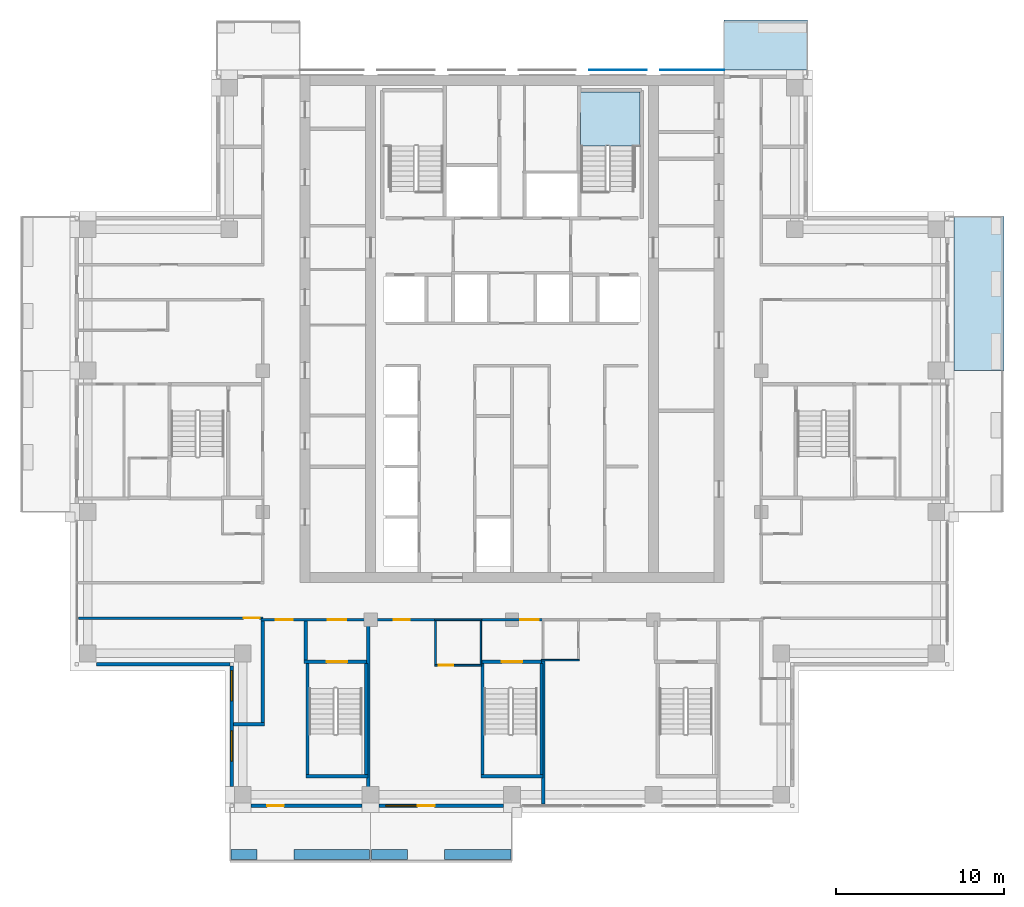
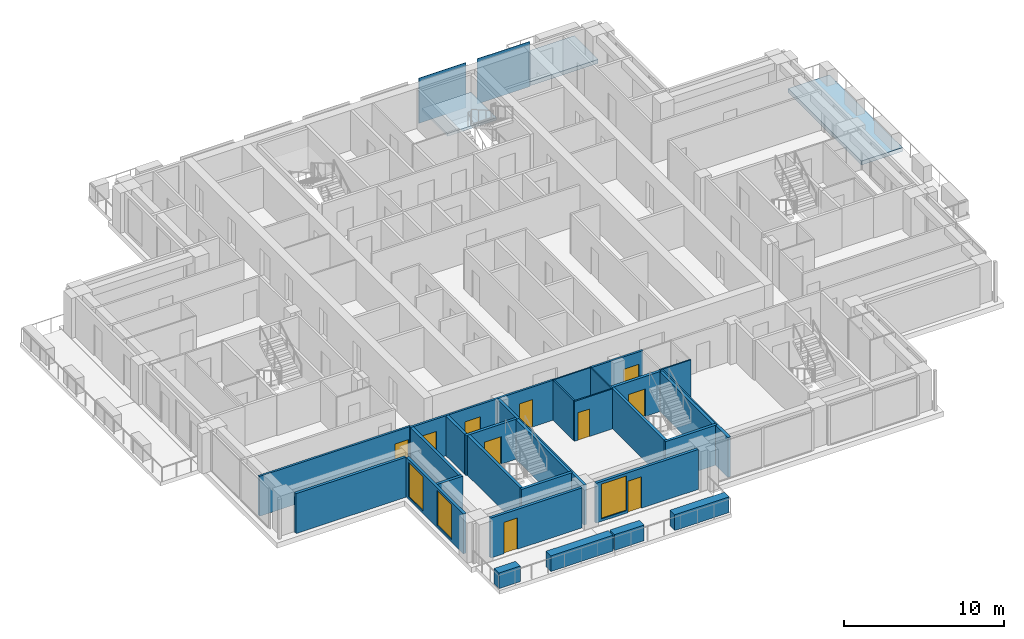
# One storey, part 6 of 17: 29 walls, 10 doors, 3 slabs, 3 windows, 2 plates, 13 openings, 1 element without a shape of its own.
"""IFC4 building model written with IfcOpenShell, lengths in metres."""

from ifc_helpers import new_model, si_unit, direction, frame, frame_2d, origin, origin_2d, place, context, subcontext, project, spatial, polyline, rectangle, outline, extrude, material, layer, layer_set, type_object, element, fill, aggregate, save


model = new_model("IFC4")

# Units and contexts
model_context = context("Model", 3, precision=1e-05, world=origin(), true_north=direction((0.0, 1.0)))
body_context = subcontext(model_context, "Body", "Model", "MODEL_VIEW")
ifc_project = project(units=[si_unit("LENGTHUNIT", "METRE"), si_unit("AREAUNIT", "SQUARE_METRE"), si_unit("VOLUMEUNIT", "CUBIC_METRE"), si_unit("PLANEANGLEUNIT", "RADIAN"), si_unit("MASSUNIT", "GRAM", prefix="KILO")], contexts=[model_context])

# Site, building, storey
site_placement = place(None, origin())
site = spatial("IfcSite", under=ifc_project, at=site_placement, CompositionType="ELEMENT")
building_placement = place(site_placement, origin())
building = spatial("IfcBuilding", under=site, at=building_placement, Name="Vermilion Ogive Tower", CompositionType="ELEMENT")
storey_placement = place(building_placement, frame((0.0, 0.0, 196.25)))
storey = spatial("IfcBuildingStorey", under=building, at=storey_placement, Name="L51", CompositionType="ELEMENT", Elevation=196.25)

# Slabs
ifc_material_1 = material(Name="Concrete B40", Category="concrete")
ifc_layer_1 = layer(ifc_material_1, 0.300048828125)
ifc_layer_set_1 = layer_set([ifc_layer_1], Name="Balcony slab")
slab_type_1 = type_object("IfcSlabType", Name="Balcony slab", PredefinedType="FLOOR", material=ifc_layer_set_1)
slab_1_placement = place(storey_placement, frame((0.0, 0.0, -0.340087890625)))
element("IfcSlab", 1, at=slab_1_placement, inside=storey, type_object=slab_type_1, Name="Balcony slab E03", PredefinedType="FLOOR", context=body_context, shape_type="SweptSolid", body=[
    extrude(outline(polyline([(29.22998046875, 4.199951171875), (29.22998046875, 13.35009765625), (26.25, 13.35009765625), (26.25, 4.199951171875), (29.22998046875, 4.199951171875)])), origin(), (0.0, 0.0, 1.0), 0.300048828125),
])
slab_2_placement = place(storey_placement, frame((0.0, 0.0, -0.340087890625)))
element("IfcSlab", 2, at=slab_2_placement, inside=storey, type_object=slab_type_1, Name="Balcony slab N101", PredefinedType="FLOOR", context=body_context, shape_type="SweptSolid", body=[
    extrude(outline(polyline([(17.550048828125, 25.030029296875), (12.60009765625, 25.030029296875), (12.60009765625, 22.050048828125), (17.550048828125, 22.050048828125), (17.550048828125, 25.030029296875)])), origin(), (0.0, 0.0, 1.0), 0.300048828125),
])

# Plates
ifc_material_2 = material(Name="Low-iron laminated glazing in aluminium frame", Category="aluminium")
ifc_layer_2 = layer(ifc_material_2, 0.031982421875)
ifc_layer_set_2 = layer_set([ifc_layer_2], Name="Glazed rainscreen sheet 32")
plate_type = type_object("IfcPlateType", Name="Glazed rainscreen sheet 32", PredefinedType="SHEET", material=ifc_layer_set_2)
plate_1_placement = place(storey_placement, frame((6.300048828125, 22.06591796875, -0.39990234375), z_axis=(0.0, 0.0, 1.0), x_axis=(1.0, 0.0, 0.0)))
element("IfcPlate", 3, at=plate_1_placement, inside=storey, type_object=plate_type, Name="Glazed rainscreen sheet N5", PredefinedType="SHEET", context=body_context, shape_type="SweptSolid", body=[
    extrude(rectangle(XDim=3.39990234375, YDim=0.031982421875, at=origin_2d()), origin(), (0.0, 0.0, 1.0), 3.449951171875),
])
plate_2_placement = place(storey_placement, frame((10.7099609375, 22.06591796875, -0.39990234375), z_axis=(0.0, 0.0, 1.0), x_axis=(1.0, 0.0, 0.0)))
element("IfcPlate", 4, at=plate_2_placement, inside=storey, type_object=plate_type, Name="Glazed rainscreen sheet N6", PredefinedType="SHEET", context=body_context, shape_type="SweptSolid", body=[
    extrude(rectangle(XDim=3.820068359375, YDim=0.031982421875, at=origin_2d()), origin(), (0.0, 0.0, 1.0), 3.449951171875),
])

# Stair, slab
ifc_material_3 = material(Name="Concrete B40", Category="concrete")
stair_type = type_object("IfcStairType", Name="Exit stair 1500", PredefinedType="HALF_TURN_STAIR", material=ifc_material_3)
stair_placement = place(storey_placement, origin())
stair = element("IfcStair", 5, at=stair_placement, inside=storey, type_object=stair_type, Name="L51 Exit Stair ST2", PredefinedType="HALF_TURN_STAIR")
ifc_material_4 = material(Name="Concrete B40", Category="concrete")
ifc_layer_3 = layer(ifc_material_4, 0.199951171875)
ifc_layer_set_3 = layer_set([ifc_layer_3], Name="Stair landing 200")
slab_type_2 = type_object("IfcSlabType", Name="Stair landing 200", PredefinedType="LANDING", material=ifc_layer_set_3)
slab_3_placement = place(storey_placement, frame((0.0, 0.0, 1.52490234375)))
slab_3 = element("IfcSlab", 6, at=slab_3_placement, type_object=slab_type_2, Name="ST2 landing 1", PredefinedType="LANDING", context=body_context, shape_type="SweptSolid", body=[
    extrude(outline(polyline([(5.60009765625, 17.550048828125), (5.75, 17.550048828125), (5.75, 17.548095703125), (7.25, 17.548095703125), (7.25, 17.550048828125), (7.60009765625, 17.550048828125), (7.60009765625, 20.75), (4.074951171875, 20.75), (4.074951171875, 17.550048828125), (4.10009765625, 17.550048828125), (4.10009765625, 17.548095703125), (5.60009765625, 17.548095703125), (5.60009765625, 17.550048828125)])), origin(), (0.0, 0.0, 1.0), 0.2001953125),
])
aggregate(stair, [slab_3])

# Wall, opening, door
ifc_material_5 = material(Name="Gypsum board partition on steel studs", Category="steel")
ifc_layer_4 = layer(ifc_material_5, 0.10009765625)
ifc_layer_set_4 = layer_set([ifc_layer_4], Name="Partition 100 bath")
wall_type_1 = type_object("IfcWallType", Name="Partition 100 bath", PredefinedType="PARTITIONING", material=ifc_layer_set_4)
wall_1_placement = place(storey_placement, frame((-4.597900390625, -13.300048828125, 0.0), z_axis=(0.0, 0.0, 1.0), x_axis=(1.0, 0.0, 0.0)))
wall_1 = element("IfcWall", 7, at=wall_1_placement, inside=storey, type_object=wall_type_1, Name="L51-W-W007", PredefinedType="PARTITIONING", context=body_context, shape_type="SweptSolid", body=[
    extrude(rectangle(XDim=2.7958984375, YDim=0.10009765625, at=frame_2d((1.39794921875, 0.0))), origin(), (0.0, 0.0, 1.0), 3.050048828125),
])
opening_1_placement = place(wall_1_placement, frame((0.247802734375, 0.0, 0.0)))
opening_1 = element("IfcOpeningElement", 8, at=opening_1_placement, cuts=wall_1, Name="Opening D4G3012", PredefinedType="OPENING", context=body_context, shape_type="SweptSolid", body=[
    extrude(rectangle(XDim=0.85009765625, YDim=2.10009765625, at=frame_2d((0.425048828125, 1.050048828125))), frame((0.0, 0.06005859375, 0.0), z_axis=(0.0, -1.0, 0.0), x_axis=(1.0, 0.0, 0.0)), (0.0, 0.0, 1.0), 0.1201171875),
])
ifc_material_6 = material(Name="Timber door leaf", Category="wood")
door_type_1 = type_object("IfcDoorType", Name="Bath door 850 x 2100 FD30", OperationType="SINGLE_SWING_LEFT", PredefinedType="DOOR", material=ifc_material_6)
door_1_placement = place(opening_1_placement, origin())
door_1 = element("IfcDoor", 9, at=door_1_placement, inside=storey, type_object=door_type_1, Name="L51-D-D012", OperationType="SINGLE_SWING_LEFT", OverallHeight=2.10009765625, OverallWidth=0.85009765625, PredefinedType="DOOR", context=body_context, shape_type="SweptSolid", body=[
    extrude(rectangle(XDim=0.85009765625, YDim=2.10009765625, at=frame_2d((0.425048828125, 1.050048828125))), frame((0.0, 0.02490234375, 0.0), z_axis=(0.0, -1.0, 0.0), x_axis=(1.0, 0.0, 0.0)), (0.0, 0.0, 1.0), 0.050048828125),
])
fill(opening_1, door_1)

# Walls
wall_2_placement = place(storey_placement, frame((1.75, -13.0, 0.0), z_axis=(0.0, 0.0, 1.0), x_axis=(1.0, 0.0, 0.0)))
element("IfcWall", 10, at=wall_2_placement, inside=storey, type_object=wall_type_1, Name="L51-W-W011", PredefinedType="PARTITIONING", context=body_context, shape_type="SweptSolid", body=[
    extrude(rectangle(XDim=2.25, YDim=0.10009765625, at=frame_2d((1.125, 0.0))), origin(), (0.0, 0.0, 1.0), 3.050048828125),
])
wall_3_placement = place(storey_placement, frame((-4.60009765625, -10.60009765625, 0.0), z_axis=(0.0, 0.0, 1.0), x_axis=(1.0, 0.0, 0.0)))
element("IfcWall", 11, at=wall_3_placement, inside=storey, type_object=wall_type_1, Name="L51-W-W013", PredefinedType="PARTITIONING", context=body_context, shape_type="SweptSolid", body=[
    extrude(rectangle(XDim=2.800048828125, YDim=0.10009765625, at=frame_2d((1.39990234375, 0.0))), origin(), (0.0, 0.0, 1.0), 3.050048828125),
])
for number, where, z_axis, x_axis, name in (
    (12, (-4.550048828125, -13.248046875, 0.0), (0.0, 0.0, 1.0), (0.0, 1.0, 0.0), "L51-W-W062"),
    (13, (-1.85009765625, -13.248046875, 0.0), (0.0, 0.0, 1.0), (0.0, 1.0, 0.0), "L51-W-W063"),
):
    element("IfcWall", number, at=place(storey_placement, frame(where, z_axis=z_axis, x_axis=x_axis)), inside=storey, type_object=wall_type_1, Name=name, PredefinedType="PARTITIONING", context=body_context, shape_type="SweptSolid", body=[
        extrude(rectangle(XDim=2.572998046875, YDim=0.10009765625, at=frame_2d((1.28662109375, 0.0))), origin(), (0.0, 0.0, 1.0), 3.050048828125),
    ])

# Wall, openings, doors
ifc_material_7 = material(Name="Gypsum board partition on steel studs", Category="steel")
ifc_layer_5 = layer(ifc_material_7, 0.14990234375)
ifc_layer_set_5 = layer_set([ifc_layer_5], Name="Partition 150 corridor")
wall_type_2 = type_object("IfcWallType", Name="Partition 150 corridor", PredefinedType="PARTITIONING", material=ifc_layer_set_5)
wall_4_placement = place(storey_placement, frame((-14.89990234375, -10.60009765625, 0.0), z_axis=(0.0, 0.0, 1.0), x_axis=(1.0, 0.0, 0.0)))
wall_4 = element("IfcWall", 14, at=wall_4_placement, inside=storey, type_object=wall_type_2, Name="L51-W-W012", PredefinedType="PARTITIONING", context=body_context, shape_type="SweptSolid", body=[
    extrude(rectangle(XDim=10.39990234375, YDim=0.14990234375, at=frame_2d((5.199951171875, 0.0))), origin(), (0.0, 0.0, 1.0), 3.050048828125),
])
opening_2_placement = place(wall_4_placement, frame((7.875, 0.0, 0.0)))
opening_2 = element("IfcOpeningElement", 15, at=opening_2_placement, cuts=wall_4, Name="Opening D4G3011", PredefinedType="OPENING", context=body_context, shape_type="SweptSolid", body=[
    extrude(rectangle(XDim=0.949951171875, YDim=2.10009765625, at=frame_2d((0.47509765625, 1.050048828125))), frame((0.0, 0.0849609375, 0.0), z_axis=(0.0, -1.0, 0.0), x_axis=(1.0, 0.0, 0.0)), (0.0, 0.0, 1.0), 0.169921875),
])
opening_3_placement = place(wall_4_placement, frame((3.949951171875, 0.0, 0.0)))
opening_3 = element("IfcOpeningElement", 16, at=opening_3_placement, cuts=wall_4, Name="Opening D4G3025", PredefinedType="OPENING", context=body_context, shape_type="SweptSolid", body=[
    extrude(rectangle(XDim=1.10009765625, YDim=2.10009765625, at=frame_2d((0.550048828125, 1.050048828125))), frame((0.0, 0.0849609375, 0.0), z_axis=(0.0, -1.0, 0.0), x_axis=(1.0, 0.0, 0.0)), (0.0, 0.0, 1.0), 0.169921875),
])
opening_4_placement = place(wall_4_placement, frame((0.875, 0.0, 0.0)))
opening_4 = element("IfcOpeningElement", 17, at=opening_4_placement, cuts=wall_4, Name="Opening D4G3035", PredefinedType="OPENING", context=body_context, shape_type="SweptSolid", body=[
    extrude(rectangle(XDim=1.0, YDim=2.10009765625, at=frame_2d((0.5, 1.050048828125))), frame((0.0, 0.0849609375, 0.0), z_axis=(0.0, -1.0, 0.0), x_axis=(1.0, 0.0, 0.0)), (0.0, 0.0, 1.0), 0.169921875),
])
ifc_material_8 = material(Name="Timber door leaf", Category="wood")
door_type_2 = type_object("IfcDoorType", Name="Stair door 1100 x 2100 FD60S", OperationType="SINGLE_SWING_LEFT", PredefinedType="DOOR", material=ifc_material_8)
door_2_placement = place(opening_3_placement, origin())
door_2 = element("IfcDoor", 18, at=door_2_placement, inside=storey, type_object=door_type_2, Name="L51-D-D025", OperationType="SINGLE_SWING_RIGHT", OverallHeight=2.10009765625, OverallWidth=1.10009765625, PredefinedType="DOOR", context=body_context, shape_type="SweptSolid", body=[
    extrude(rectangle(XDim=1.10009765625, YDim=2.10009765625, at=frame_2d((0.550048828125, 1.050048828125))), frame((0.0, 0.02490234375, 0.0), z_axis=(0.0, -1.0, 0.0), x_axis=(1.0, 0.0, 0.0)), (0.0, 0.0, 1.0), 0.050048828125),
])
fill(opening_3, door_2)
ifc_material_9 = material(Name="Timber door leaf", Category="wood")
door_type_3 = type_object("IfcDoorType", Name="Unit door 1000 x 2100 FD30S", OperationType="SINGLE_SWING_LEFT", PredefinedType="DOOR", material=ifc_material_9)
door_3_placement = place(opening_4_placement, origin())
door_3 = element("IfcDoor", 19, at=door_3_placement, inside=storey, type_object=door_type_3, Name="L51-D-D035", OperationType="SINGLE_SWING_RIGHT", OverallHeight=2.10009765625, OverallWidth=1.0, PredefinedType="DOOR", context=body_context, shape_type="SweptSolid", body=[
    extrude(rectangle(XDim=1.0, YDim=2.10009765625, at=frame_2d((0.5, 1.050048828125))), frame((0.0, 0.02490234375, 0.0), z_axis=(0.0, -1.0, 0.0), x_axis=(1.0, 0.0, 0.0)), (0.0, 0.0, 1.0), 0.050048828125),
])
fill(opening_4, door_3)
ifc_material_10 = material(Name="Timber door leaf", Category="wood")
door_type_4 = type_object("IfcDoorType", Name="Unit door 950 x 2100 FD30S", OperationType="SINGLE_SWING_LEFT", PredefinedType="DOOR", material=ifc_material_10)
door_4_placement = place(opening_2_placement, origin())
door_4 = element("IfcDoor", 20, at=door_4_placement, inside=storey, type_object=door_type_4, Name="L51-D-D011", OperationType="SINGLE_SWING_LEFT", OverallHeight=2.10009765625, OverallWidth=0.949951171875, PredefinedType="DOOR", context=body_context, shape_type="SweptSolid", body=[
    extrude(rectangle(XDim=0.949951171875, YDim=2.10009765625, at=frame_2d((0.47509765625, 1.050048828125))), frame((0.0, 0.02490234375, 0.0), z_axis=(0.0, -1.0, 0.0), x_axis=(1.0, 0.0, 0.0)), (0.0, 0.0, 1.0), 0.050048828125),
])
fill(opening_2, door_4)

# Wall, opening, door
wall_5_placement = place(storey_placement, frame((-1.89990234375, -10.60009765625, 0.0), z_axis=(0.0, 0.0, 1.0), x_axis=(1.0, 0.0, 0.0)))
wall_5 = element("IfcWall", 21, at=wall_5_placement, inside=storey, type_object=wall_type_2, Name="L51-W-W014", PredefinedType="PARTITIONING", context=body_context, shape_type="SweptSolid", body=[
    extrude(rectangle(XDim=3.7998046875, YDim=0.14990234375, at=frame_2d((1.89990234375, 0.0))), origin(), (0.0, 0.0, 1.0), 3.050048828125),
])
opening_5_placement = place(wall_5_placement, frame((2.39990234375, 0.0, 0.0)))
opening_5 = element("IfcOpeningElement", 22, at=opening_5_placement, cuts=wall_5, Name="Opening D4G3027", PredefinedType="OPENING", context=body_context, shape_type="SweptSolid", body=[
    extrude(rectangle(XDim=1.10009765625, YDim=2.10009765625, at=frame_2d((0.550048828125, 1.050048828125))), frame((0.0, 0.0849609375, 0.0), z_axis=(0.0, -1.0, 0.0), x_axis=(1.0, 0.0, 0.0)), (0.0, 0.0, 1.0), 0.169921875),
])
door_5_placement = place(opening_5_placement, origin())
door_5 = element("IfcDoor", 23, at=door_5_placement, inside=storey, type_object=door_type_2, Name="L51-D-D027", OperationType="SINGLE_SWING_LEFT", OverallHeight=2.10009765625, OverallWidth=1.10009765625, PredefinedType="DOOR", context=body_context, shape_type="SweptSolid", body=[
    extrude(rectangle(XDim=1.10009765625, YDim=2.10009765625, at=frame_2d((0.550048828125, 1.050048828125))), frame((0.0, 0.02490234375, 0.0), z_axis=(0.0, -1.0, 0.0), x_axis=(1.0, 0.0, 0.0)), (0.0, 0.0, 1.0), 0.050048828125),
])
fill(opening_5, door_5)

wall_6_placement = place(storey_placement, frame((-25.75, -10.5, 0.0), z_axis=(0.0, 0.0, 1.0), x_axis=(1.0, 0.0, 0.0)))
wall_6 = element("IfcWall", 24, at=wall_6_placement, inside=storey, type_object=wall_type_2, Name="L51-W-W017", PredefinedType="PARTITIONING", context=body_context, shape_type="SweptSolid", body=[
    extrude(rectangle(XDim=10.949951171875, YDim=0.14990234375, at=frame_2d((5.47509765625, 0.0))), origin(), (0.0, 0.0, 1.0), 3.050048828125),
])
opening_6_placement = place(wall_6_placement, frame((9.800048828125, 0.0, 0.0)))
opening_6 = element("IfcOpeningElement", 25, at=opening_6_placement, cuts=wall_6, Name="Opening D4G3001", PredefinedType="OPENING", context=body_context, shape_type="SweptSolid", body=[
    extrude(rectangle(XDim=0.949951171875, YDim=2.10009765625, at=frame_2d((0.47509765625, 1.050048828125))), frame((0.0, 0.0849609375, 0.0), z_axis=(0.0, -1.0, 0.0), x_axis=(1.0, 0.0, 0.0)), (0.0, 0.0, 1.0), 0.169921875),
])
door_6_placement = place(opening_6_placement, origin())
door_6 = element("IfcDoor", 26, at=door_6_placement, inside=storey, type_object=door_type_4, Name="L51-D-D001", OperationType="SINGLE_SWING_RIGHT", OverallHeight=2.10009765625, OverallWidth=0.949951171875, PredefinedType="DOOR", context=body_context, shape_type="SweptSolid", body=[
    extrude(rectangle(XDim=0.949951171875, YDim=2.10009765625, at=frame_2d((0.47509765625, 1.050048828125))), frame((0.0, 0.02490234375, 0.0), z_axis=(0.0, -1.0, 0.0), x_axis=(1.0, 0.0, 0.0)), (0.0, 0.0, 1.0), 0.050048828125),
])
fill(opening_6, door_6)

# Walls
ifc_material_11 = material(Name="Gypsum board partition on steel studs", Category="steel")
ifc_layer_6 = layer(ifc_material_11, 0.199951171875)
ifc_layer_set_6 = layer_set([ifc_layer_6], Name="Partition 200 party")
wall_type_3 = type_object("IfcWallType", Name="Partition 200 party", PredefinedType="PARTITIONING", material=ifc_layer_set_6)
wall_7_placement = place(storey_placement, frame((-16.550048828125, -16.800048828125, 0.0), z_axis=(0.0, 0.0, 1.0), x_axis=(1.0, 0.0, 0.0)))
element("IfcWall", 27, at=wall_7_placement, inside=storey, type_object=wall_type_3, Name="L51-W-W004", PredefinedType="PARTITIONING", context=body_context, shape_type="SweptSolid", body=[
    extrude(rectangle(XDim=1.84814453125, YDim=0.199951171875, at=frame_2d((0.924072265625, 0.0))), origin(), (0.0, 0.0, 1.0), 3.050048828125),
])
wall_8_placement = place(storey_placement, frame((-14.800048828125, -16.697998046875, 0.0), z_axis=(0.0, 0.0, 1.0), x_axis=(0.0, 1.0, 0.0)))
element("IfcWall", 28, at=wall_8_placement, inside=storey, type_object=wall_type_3, Name="L51-W-W053", PredefinedType="PARTITIONING", context=body_context, shape_type="SweptSolid", body=[
    extrude(rectangle(XDim=6.02294921875, YDim=0.199951171875, at=frame_2d((3.011474609375, 0.0))), origin(), (0.0, 0.0, 1.0), 3.050048828125),
])
wall_9_placement = place(storey_placement, frame((-12.25, -12.998046875, 0.0), z_axis=(0.0, 0.0, 1.0), x_axis=(0.0, 1.0, 0.0)))
element("IfcWall", 29, at=wall_9_placement, inside=storey, type_object=wall_type_3, Name="L51-W-W058", PredefinedType="PARTITIONING", context=body_context, shape_type="SweptSolid", body=[
    extrude(rectangle(XDim=2.322998046875, YDim=0.199951171875, at=frame_2d((1.16162109375, 0.0))), origin(), (0.0, 0.0, 1.0), 3.050048828125),
])
ifc_material_12 = material(Name="Concrete B60", Category="concrete")
ifc_layer_7 = layer(ifc_material_12, 0.199951171875)
ifc_layer_set_7 = layer_set([ifc_layer_7], Name="Stair shaft wall 200 Concrete B60")
wall_type_4 = type_object("IfcWallType", Name="Stair shaft wall 200 Concrete B60", PredefinedType="SOLIDWALL", material=ifc_layer_set_7)
wall_10_placement = place(storey_placement, frame((-12.248046875, -19.89990234375, 0.0), z_axis=(0.0, 0.0, 1.0), x_axis=(1.0, 0.0, 0.0)))
element("IfcWall", 30, at=wall_10_placement, inside=storey, type_object=wall_type_4, Name="L51-W-W001", PredefinedType="SOLIDWALL", context=body_context, shape_type="SweptSolid", body=[
    extrude(rectangle(XDim=3.696044921875, YDim=0.199951171875, at=frame_2d((1.84814453125, 0.0))), origin(), (0.0, 0.0, 1.0), 3.050048828125),
])
wall_11_placement = place(storey_placement, frame((-1.847900390625, -19.89990234375, 0.0), z_axis=(0.0, 0.0, 1.0), x_axis=(1.0, 0.0, 0.0)))
element("IfcWall", 31, at=wall_11_placement, inside=storey, type_object=wall_type_4, Name="L51-W-W002", PredefinedType="SOLIDWALL", context=body_context, shape_type="SweptSolid", body=[
    extrude(rectangle(XDim=3.69580078125, YDim=0.199951171875, at=frame_2d((1.847900390625, 0.0))), origin(), (0.0, 0.0, 1.0), 3.050048828125),
])

# Wall, opening, door
wall_12_placement = place(storey_placement, frame((-12.347900390625, -13.10009765625, 0.0), z_axis=(0.0, 0.0, 1.0), x_axis=(1.0, 0.0, 0.0)))
wall_12 = element("IfcWall", 32, at=wall_12_placement, inside=storey, type_object=wall_type_4, Name="L51-W-W008", PredefinedType="SOLIDWALL", context=body_context, shape_type="SweptSolid", body=[
    extrude(rectangle(XDim=3.69580078125, YDim=0.199951171875, at=frame_2d((1.847900390625, 0.0))), origin(), (0.0, 0.0, 1.0), 3.050048828125),
])
opening_7_placement = place(wall_12_placement, frame((1.347900390625, 0.0, 0.0)))
opening_7 = element("IfcOpeningElement", 33, at=opening_7_placement, cuts=wall_12, Name="Opening D4G3026", PredefinedType="OPENING", context=body_context, shape_type="SweptSolid", body=[
    extrude(rectangle(XDim=1.199951171875, YDim=2.10009765625, at=frame_2d((0.60009765625, 1.050048828125))), frame((0.0, 0.10986328125, 0.0), z_axis=(0.0, -1.0, 0.0), x_axis=(1.0, 0.0, 0.0)), (0.0, 0.0, 1.0), 0.219970703125),
])
ifc_material_13 = material(Name="Timber door leaf", Category="wood")
door_type_5 = type_object("IfcDoorType", Name="Stair door 1200 x 2100 FD60S", OperationType="SINGLE_SWING_LEFT", PredefinedType="DOOR", material=ifc_material_13)
door_7_placement = place(opening_7_placement, origin())
door_7 = element("IfcDoor", 34, at=door_7_placement, inside=storey, type_object=door_type_5, Name="L51-D-D026", OperationType="SINGLE_SWING_RIGHT", OverallHeight=2.10009765625, OverallWidth=1.199951171875, PredefinedType="DOOR", context=body_context, shape_type="SweptSolid", body=[
    extrude(rectangle(XDim=1.199951171875, YDim=2.10009765625, at=frame_2d((0.60009765625, 1.050048828125))), frame((0.0, 0.02490234375, 0.0), z_axis=(0.0, -1.0, 0.0), x_axis=(1.0, 0.0, 0.0)), (0.0, 0.0, 1.0), 0.050048828125),
])
fill(opening_7, door_7)

wall_13_placement = place(storey_placement, frame((-1.798095703125, -13.10009765625, 0.0), z_axis=(0.0, 0.0, 1.0), x_axis=(1.0, 0.0, 0.0)))
wall_13 = element("IfcWall", 35, at=wall_13_placement, inside=storey, type_object=wall_type_4, Name="L51-W-W009", PredefinedType="SOLIDWALL", context=body_context, shape_type="SweptSolid", body=[
    extrude(rectangle(XDim=3.546142578125, YDim=0.199951171875, at=frame_2d((1.77294921875, 0.0))), origin(), (0.0, 0.0, 1.0), 3.050048828125),
])
opening_8_placement = place(wall_13_placement, frame((1.197998046875, 0.0, 0.0)))
opening_8 = element("IfcOpeningElement", 36, at=opening_8_placement, cuts=wall_13, Name="Opening D4G3028", PredefinedType="OPENING", context=body_context, shape_type="SweptSolid", body=[
    extrude(rectangle(XDim=1.199951171875, YDim=2.10009765625, at=frame_2d((0.60009765625, 1.050048828125))), frame((0.0, 0.10986328125, 0.0), z_axis=(0.0, -1.0, 0.0), x_axis=(1.0, 0.0, 0.0)), (0.0, 0.0, 1.0), 0.219970703125),
])
door_8_placement = place(opening_8_placement, origin())
door_8 = element("IfcDoor", 37, at=door_8_placement, inside=storey, type_object=door_type_5, Name="L51-D-D028", OperationType="SINGLE_SWING_RIGHT", OverallHeight=2.10009765625, OverallWidth=1.199951171875, PredefinedType="DOOR", context=body_context, shape_type="SweptSolid", body=[
    extrude(rectangle(XDim=1.199951171875, YDim=2.10009765625, at=frame_2d((0.60009765625, 1.050048828125))), frame((0.0, 0.02490234375, 0.0), z_axis=(0.0, -1.0, 0.0), x_axis=(1.0, 0.0, 0.0)), (0.0, 0.0, 1.0), 0.050048828125),
])
fill(opening_8, door_8)

# Walls
for number, where, z_axis, x_axis, name in (
    (38, (-12.14990234375, -19.798095703125, 0.0), (0.0, 0.0, 1.0), (0.0, 1.0, 0.0), "L51-W-W059"),
    (39, (-8.64990234375, -19.798095703125, 0.0), (0.0, 0.0, 1.0), (0.0, 1.0, 0.0), "L51-W-W060"),
    (40, (-1.75, -19.798095703125, 0.0), (0.0, 0.0, 1.0), (0.0, 1.0, 0.0), "L51-W-W064"),
    (41, (1.75, -19.798095703125, 0.0), (0.0, 0.0, 1.0), (0.0, 1.0, 0.0), "L51-W-W065"),
):
    element("IfcWall", number, at=place(storey_placement, frame(where, z_axis=z_axis, x_axis=x_axis)), inside=storey, type_object=wall_type_4, Name=name, PredefinedType="SOLIDWALL", context=body_context, shape_type="SweptSolid", body=[
        extrude(rectangle(XDim=6.59619140625, YDim=0.199951171875, at=frame_2d((3.298095703125, 0.0))), origin(), (0.0, 0.0, 1.0), 3.050048828125),
    ])
wall_14_placement = place(storey_placement, frame((-8.550048828125, -21.550048828125, 0.0), z_axis=(0.0, 0.0, 1.0), x_axis=(0.0, 1.0, 0.0)))
element("IfcWall", 42, at=wall_14_placement, inside=storey, type_object=wall_type_4, Name="L51-W-W061-A", PredefinedType="SOLIDWALL", context=body_context, shape_type="SweptSolid", body=[
    extrude(rectangle(XDim=10.875, YDim=0.199951171875, at=frame_2d((5.4375, 0.0))), origin(), (0.0, 0.0, 1.0), 3.050048828125),
])
wall_15_placement = place(storey_placement, frame((1.85009765625, -21.550048828125, 0.0), z_axis=(0.0, 0.0, 1.0), x_axis=(0.0, 1.0, 0.0)))
element("IfcWall", 43, at=wall_15_placement, inside=storey, type_object=wall_type_4, Name="L51-W-W066-A", PredefinedType="SOLIDWALL", context=body_context, shape_type="SweptSolid", body=[
    extrude(rectangle(XDim=8.5, YDim=0.199951171875, at=frame_2d((4.25, 0.0))), origin(), (0.0, 0.0, 1.0), 3.050048828125),
])
ifc_material_14 = material(Name="Concrete B40", Category="concrete")
ifc_layer_8 = layer(ifc_material_14, 0.60009765625)
ifc_layer_set_8 = layer_set([ifc_layer_8], Name="Structural planter")
wall_type_5 = type_object("IfcWallType", Name="Structural planter", PredefinedType="USERDEFINED", material=ifc_layer_set_8)
wall_16_placement = place(storey_placement, frame((-16.68994140625, -24.550048828125, -0.0400390625), z_axis=(0.0, 0.0, 1.0), x_axis=(1.0, 0.0, 0.0)))
element("IfcWall", 44, at=wall_16_placement, inside=storey, type_object=wall_type_5, Name="Planter S01A1", ObjectType="PLANTER", PredefinedType="USERDEFINED", context=body_context, shape_type="SweptSolid", body=[
    extrude(rectangle(XDim=1.5400390625, YDim=0.60009765625, at=frame_2d((0.77001953125, 0.0))), origin(), (0.0, 0.0, 1.0), 1.199951171875),
])
wall_17_placement = place(storey_placement, frame((-12.949951171875, -24.550048828125, -0.0400390625), z_axis=(0.0, 0.0, 1.0), x_axis=(1.0, 0.0, 0.0)))
element("IfcWall", 45, at=wall_17_placement, inside=storey, type_object=wall_type_5, Name="Planter S01A2", ObjectType="PLANTER", PredefinedType="USERDEFINED", context=body_context, shape_type="SweptSolid", body=[
    extrude(rectangle(XDim=4.489990234375, YDim=0.60009765625, at=frame_2d((2.2451171875, 0.0))), origin(), (0.0, 0.0, 1.0), 1.199951171875),
])
wall_18_placement = place(storey_placement, frame((-8.340087890625, -24.550048828125, -0.0400390625), z_axis=(0.0, 0.0, 1.0), x_axis=(1.0, 0.0, 0.0)))
element("IfcWall", 46, at=wall_18_placement, inside=storey, type_object=wall_type_5, Name="Planter S02A1", ObjectType="PLANTER", PredefinedType="USERDEFINED", context=body_context, shape_type="SweptSolid", body=[
    extrude(rectangle(XDim=2.14013671875, YDim=0.60009765625, at=frame_2d((1.070068359375, 0.0))), origin(), (0.0, 0.0, 1.0), 1.199951171875),
])
wall_19_placement = place(storey_placement, frame((-4.0, -24.550048828125, -0.0400390625), z_axis=(0.0, 0.0, 1.0), x_axis=(1.0, 0.0, 0.0)))
element("IfcWall", 47, at=wall_19_placement, inside=storey, type_object=wall_type_5, Name="Planter S02A2", ObjectType="PLANTER", PredefinedType="USERDEFINED", context=body_context, shape_type="SweptSolid", body=[
    extrude(rectangle(XDim=3.93994140625, YDim=0.60009765625, at=frame_2d((1.969970703125, 0.0))), origin(), (0.0, 0.0, 1.0), 1.199951171875),
])

# Wall, opening, door
ifc_material_15 = material(Name="Aluminium window wall framing", Category="aluminium")
ifc_layer_9 = layer(ifc_material_15, 0.199951171875)
ifc_layer_set_9 = layer_set([ifc_layer_9], Name="Window wall")
wall_type_6 = type_object("IfcWallType", Name="Window wall", PredefinedType="STANDARD", material=ifc_layer_set_9)
wall_20_placement = place(storey_placement, frame((-15.5, -21.64990234375, 0.0), z_axis=(0.0, 0.0, 1.0), x_axis=(1.0, 0.0, 0.0)))
wall_20 = element("IfcWall", 48, at=wall_20_placement, inside=storey, type_object=wall_type_6, Name="Window wall S1", PredefinedType="STANDARD", context=body_context, shape_type="SweptSolid", body=[
    extrude(rectangle(XDim=6.60009765625, YDim=0.199951171875, at=frame_2d((3.300048828125, 0.0))), origin(), (0.0, 0.0, 1.0), 3.050048828125),
])
opening_9_placement = place(wall_20_placement, frame((0.949951171875, 0.0, 0.0)))
opening_9 = element("IfcOpeningElement", 49, at=opening_9_placement, cuts=wall_20, Name="Opening D1-S96K", PredefinedType="OPENING", context=body_context, shape_type="SweptSolid", body=[
    extrude(rectangle(XDim=1.0, YDim=2.39990234375, at=frame_2d((0.5, 1.199951171875))), frame((0.0, 0.10986328125, 0.0), z_axis=(0.0, -1.0, 0.0), x_axis=(1.0, 0.0, 0.0)), (0.0, 0.0, 1.0), 0.219970703125),
])
ifc_material_16 = material(Name="Aluminium framed glazed door", Category="aluminium")
door_type_6 = type_object("IfcDoorType", Name="Balcony door D1", OperationType="SINGLE_SWING_LEFT", PredefinedType="DOOR", material=ifc_material_16)
door_9_placement = place(opening_9_placement, origin())
door_9 = element("IfcDoor", 50, at=door_9_placement, inside=storey, type_object=door_type_6, Name="Balcony door S96K", OperationType="SINGLE_SWING_LEFT", OverallHeight=2.39990234375, OverallWidth=1.0, PredefinedType="DOOR", context=body_context, shape_type="SweptSolid", body=[
    extrude(rectangle(XDim=1.0, YDim=2.39990234375, at=frame_2d((0.5, 1.199951171875))), frame((0.0, 0.02490234375, 0.0), z_axis=(0.0, -1.0, 0.0), x_axis=(1.0, 0.0, 0.0)), (0.0, 0.0, 1.0), 0.050048828125),
])
fill(opening_9, door_9)

# Wall, openings, door, window
wall_21_placement = place(storey_placement, frame((-7.89990234375, -21.64990234375, 0.0), z_axis=(0.0, 0.0, 1.0), x_axis=(1.0, 0.0, 0.0)))
wall_21 = element("IfcWall", 51, at=wall_21_placement, inside=storey, type_object=wall_type_6, Name="Window wall S2", PredefinedType="STANDARD", context=body_context, shape_type="SweptSolid", body=[
    extrude(rectangle(XDim=7.39990234375, YDim=0.199951171875, at=frame_2d((3.699951171875, 0.0))), origin(), (0.0, 0.0, 1.0), 3.050048828125),
])
opening_10_placement = place(wall_21_placement, frame((0.39990234375, 0.0, 0.199951171875)))
opening_10 = element("IfcOpeningElement", 52, at=opening_10_placement, cuts=wall_21, Name="Opening W1-S98", PredefinedType="OPENING", context=body_context, shape_type="SweptSolid", body=[
    extrude(rectangle(XDim=1.800048828125, YDim=2.64990234375, at=frame_2d((0.89990234375, 1.324951171875))), frame((0.0, 0.10986328125, 0.0), z_axis=(0.0, -1.0, 0.0), x_axis=(1.0, 0.0, 0.0)), (0.0, 0.0, 1.0), 0.219970703125),
])
opening_11_placement = place(wall_21_placement, frame((2.300048828125, 0.0, 0.0)))
opening_11 = element("IfcOpeningElement", 53, at=opening_11_placement, cuts=wall_21, Name="Opening D1-S98", PredefinedType="OPENING", context=body_context, shape_type="SweptSolid", body=[
    extrude(rectangle(XDim=1.0, YDim=2.39990234375, at=frame_2d((0.5, 1.199951171875))), frame((0.0, 0.10986328125, 0.0), z_axis=(0.0, -1.0, 0.0), x_axis=(1.0, 0.0, 0.0)), (0.0, 0.0, 1.0), 0.219970703125),
])
door_10_placement = place(opening_11_placement, origin())
door_10 = element("IfcDoor", 54, at=door_10_placement, inside=storey, type_object=door_type_6, Name="Balcony door S98", OperationType="SINGLE_SWING_LEFT", OverallHeight=2.39990234375, OverallWidth=1.0, PredefinedType="DOOR", context=body_context, shape_type="SweptSolid", body=[
    extrude(rectangle(XDim=1.0, YDim=2.39990234375, at=frame_2d((0.5, 1.199951171875))), frame((0.0, 0.02490234375, 0.0), z_axis=(0.0, -1.0, 0.0), x_axis=(1.0, 0.0, 0.0)), (0.0, 0.0, 1.0), 0.050048828125),
])
fill(opening_11, door_10)
ifc_material_17 = material(Name="Aluminium framed double glazing", Category="aluminium")
window_type = type_object("IfcWindowType", Name="Guest window W1", PartitioningType="SINGLE_PANEL", PredefinedType="WINDOW", material=ifc_material_17)
window_1_placement = place(opening_10_placement, origin())
window_1 = element("IfcWindow", 55, at=window_1_placement, inside=storey, type_object=window_type, Name="Window S98", OverallHeight=2.64990234375, OverallWidth=1.800048828125, PartitioningType="SINGLE_PANEL", PredefinedType="WINDOW", context=body_context, shape_type="SweptSolid", body=[
    extrude(rectangle(XDim=1.800048828125, YDim=2.64990234375, at=frame_2d((0.89990234375, 1.324951171875))), frame((0.0, 0.030029296875, 0.0), z_axis=(0.0, -1.0, 0.0), x_axis=(1.0, 0.0, 0.0)), (0.0, 0.0, 1.0), 0.06005859375),
])
fill(opening_10, window_1)

# Wall
wall_22_placement = place(storey_placement, frame((-24.699951171875, -13.25, 0.0), z_axis=(0.0, 0.0, 1.0), x_axis=(1.0, 0.0, 0.0)))
element("IfcWall", 56, at=wall_22_placement, inside=storey, type_object=wall_type_6, Name="Window wall X71", PredefinedType="STANDARD", context=body_context, shape_type="SweptSolid", body=[
    extrude(rectangle(XDim=7.949951171875, YDim=0.199951171875, at=frame_2d((3.97509765625, 0.0))), origin(), (0.0, 0.0, 1.0), 3.050048828125),
])

# Wall, openings, windows
wall_23_placement = place(storey_placement, frame((-16.64990234375, -13.35009765625, 0.0), z_axis=(0.0, 0.0, 1.0), x_axis=(0.0, -1.0, 0.0)))
wall_23 = element("IfcWall", 57, at=wall_23_placement, inside=storey, type_object=wall_type_6, Name="Window wall X81", PredefinedType="STANDARD", context=body_context, shape_type="SweptSolid", body=[
    extrude(rectangle(XDim=7.14990234375, YDim=0.199951171875, at=frame_2d((3.574951171875, 0.0))), origin(), (0.0, 0.0, 1.0), 3.050048828125),
])
opening_12_placement = place(wall_23_placement, frame((3.85009765625, 0.0, 0.199951171875)))
opening_12 = element("IfcOpeningElement", 58, at=opening_12_placement, cuts=wall_23, Name="Opening W1-X895", PredefinedType="OPENING", context=body_context, shape_type="SweptSolid", body=[
    extrude(rectangle(XDim=1.800048828125, YDim=2.64990234375, at=frame_2d((0.89990234375, 1.324951171875))), frame((0.0, 0.10986328125, 0.0), z_axis=(0.0, -1.0, 0.0), x_axis=(1.0, 0.0, 0.0)), (0.0, 0.0, 1.0), 0.219970703125),
])
opening_13_placement = place(wall_23_placement, frame((0.27490234375, 0.0, 0.199951171875)))
opening_13 = element("IfcOpeningElement", 59, at=opening_13_placement, cuts=wall_23, Name="Opening W1-X896", PredefinedType="OPENING", context=body_context, shape_type="SweptSolid", body=[
    extrude(rectangle(XDim=1.800048828125, YDim=2.64990234375, at=frame_2d((0.89990234375, 1.324951171875))), frame((0.0, 0.10986328125, 0.0), z_axis=(0.0, -1.0, 0.0), x_axis=(1.0, 0.0, 0.0)), (0.0, 0.0, 1.0), 0.219970703125),
])
window_2_placement = place(opening_12_placement, origin())
window_2 = element("IfcWindow", 60, at=window_2_placement, inside=storey, type_object=window_type, Name="Window X895", OverallHeight=2.64990234375, OverallWidth=1.800048828125, PartitioningType="SINGLE_PANEL", PredefinedType="WINDOW", context=body_context, shape_type="SweptSolid", body=[
    extrude(rectangle(XDim=1.800048828125, YDim=2.64990234375, at=frame_2d((0.89990234375, 1.324951171875))), frame((0.0, 0.030029296875, 0.0), z_axis=(0.0, -1.0, 0.0), x_axis=(1.0, 0.0, 0.0)), (0.0, 0.0, 1.0), 0.06005859375),
])
fill(opening_12, window_2)
window_3_placement = place(opening_13_placement, origin())
window_3 = element("IfcWindow", 61, at=window_3_placement, inside=storey, type_object=window_type, Name="Window X896", OverallHeight=2.64990234375, OverallWidth=1.800048828125, PartitioningType="SINGLE_PANEL", PredefinedType="WINDOW", context=body_context, shape_type="SweptSolid", body=[
    extrude(rectangle(XDim=1.800048828125, YDim=2.64990234375, at=frame_2d((0.89990234375, 1.324951171875))), frame((0.0, 0.030029296875, 0.0), z_axis=(0.0, -1.0, 0.0), x_axis=(1.0, 0.0, 0.0)), (0.0, 0.0, 1.0), 0.06005859375),
])
fill(opening_13, window_3)

save(model, "model.ifc")
